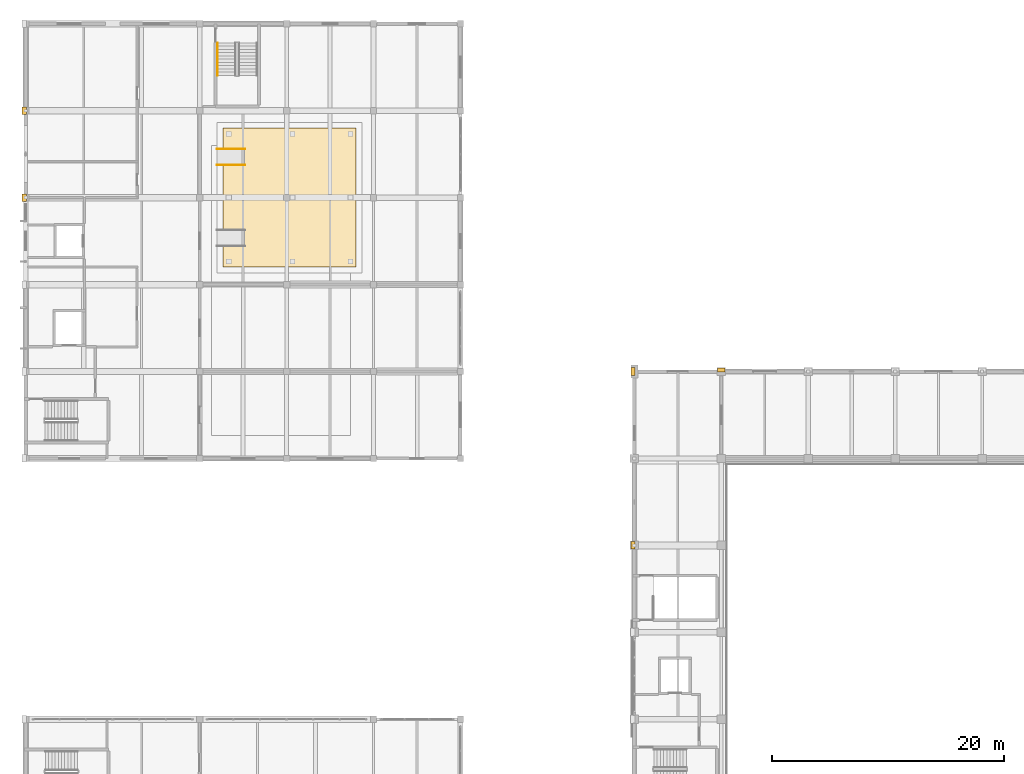
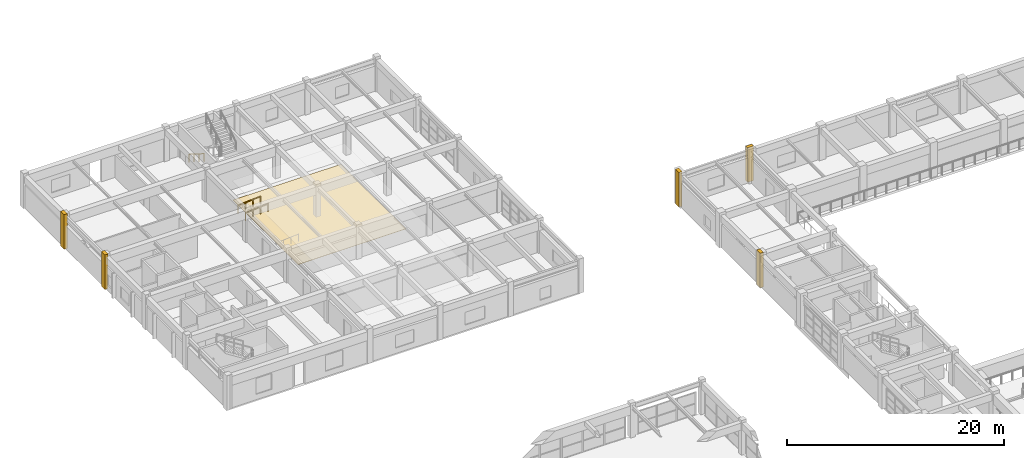
# One storey, part 98 of 101: 6 coverings, 3 railings.
"""IFC4 building model written with IfcOpenShell, lengths in metres."""

from ifc_helpers import new_model, si_unit, direction, frame, origin, origin_2d, place, context, subcontext, project, spatial, polyline, rectangle, circle, outline, extrude, material, layer, layer_set, type_object, element, save


model = new_model("IFC4")

# Units and contexts
model_context = context("Model", 3, precision=1e-05, world=origin(), true_north=direction((0.0, 1.0)))
body_context = subcontext(model_context, "Body", "Model", "MODEL_VIEW")
ifc_project = project(units=[si_unit("LENGTHUNIT", "METRE"), si_unit("AREAUNIT", "SQUARE_METRE"), si_unit("VOLUMEUNIT", "CUBIC_METRE"), si_unit("PLANEANGLEUNIT", "RADIAN"), si_unit("MASSUNIT", "GRAM", prefix="KILO")], contexts=[model_context])

# Site, building, storey
site_placement = place(None, origin())
site = spatial("IfcSite", under=ifc_project, at=site_placement, CompositionType="ELEMENT")
building_placement = place(site_placement, origin())
building = spatial("IfcBuilding", under=site, at=building_placement, Name="Qasida Concert Hall", CompositionType="ELEMENT")
storey_placement = place(building_placement, frame((0.0, 0.0, 13.199951171875)))
storey = spatial("IfcBuildingStorey", under=building, at=storey_placement, Name="L03", CompositionType="ELEMENT", Elevation=13.199951171875)

# Coverings
ifc_material_1 = material(Name="Quarter-sawn European oak stage and parterre flooring", Category="wood")
ifc_layer_1 = layer(ifc_material_1, 0.030029296875, Name="Quarter-sawn European oak stage and parterre flooring")
ifc_layer_set_1 = layer_set([ifc_layer_1], Name="Quarter-sawn European oak stage and parterre flooring")
covering_type_1 = type_object("IfcCoveringType", Name="CV-FL-1", PredefinedType="FLOORING", material=ifc_layer_set_1)
covering_1_placement = place(storey_placement, frame((0.0, 0.0, 0.179931640625)))
element("IfcCovering", 1, at=covering_1_placement, inside=storey, type_object=covering_type_1, Name="L03 acoustic timber flooring 07", PredefinedType="FLOORING", context=body_context, shape_type="SweptSolid", body=[
    extrude(outline(polyline([(17.0, 91.5), (28.5, 91.5), (28.5, 103.5), (17.0, 103.5), (17.0, 91.5)])), origin(), (0.0, 0.0, 1.0), 0.030029296875),
])
ifc_material_2 = material(Name="Projecting fluted Lebanese limestone Art Deco pilaster", Category="masonry")
ifc_layer_2 = layer(ifc_material_2, 0.35009765625, Name="Projecting fluted Lebanese limestone Art Deco pilaster")
ifc_layer_set_2 = layer_set([ifc_layer_2], Name="Projecting fluted Lebanese limestone Art Deco pilaster")
covering_type_2 = type_object("IfcCoveringType", Name="CV-PIL-650", PredefinedType="CLADDING", material=ifc_layer_set_2)
for number, where, z_axis, x_axis, name in (
    (2, (52.364990234375, 67.5, 0.0), (0.0, 0.0, 1.0), (1.0, 0.0, 0.0), "L03 fluted limestone pilaster 0074"),
    (3, (52.364990234375, 82.5, 0.0), (0.0, 0.0, 1.0), (1.0, 0.0, 0.0), "L03 fluted limestone pilaster 0088"),
):
    element("IfcCovering", number, at=place(storey_placement, frame(where, z_axis=z_axis, x_axis=x_axis)), inside=storey, type_object=covering_type_2, Name=name, PredefinedType="CLADDING", context=body_context, shape_type="SweptSolid", body=[
        extrude(rectangle(XDim=0.35009765625, YDim=0.64990234375, at=origin_2d()), origin(), (0.0, 0.0, 1.0), 3.89990234375),
    ])
covering_2_placement = place(storey_placement, frame((60.0, 82.635009765625, 0.0), z_axis=(0.0, 0.0, 1.0), x_axis=(1.0, 0.0, 0.0)))
element("IfcCovering", 4, at=covering_2_placement, inside=storey, type_object=covering_type_2, Name="L03 fluted limestone pilaster 0102", PredefinedType="CLADDING", context=body_context, shape_type="SweptSolid", body=[
    extrude(rectangle(XDim=0.64990234375, YDim=0.35009765625, at=origin_2d()), origin(), (0.0, 0.0, 1.0), 3.89990234375),
])
for number, where, z_axis, x_axis, name in (
    (5, (-0.135009765625, 97.5, 0.0), (0.0, 0.0, 1.0), (1.0, 0.0, 0.0), "L03 fluted limestone pilaster 0289"),
    (6, (-0.135009765625, 105.0, 0.0), (0.0, 0.0, 1.0), (1.0, 0.0, 0.0), "L03 fluted limestone pilaster 0296"),
):
    element("IfcCovering", number, at=place(storey_placement, frame(where, z_axis=z_axis, x_axis=x_axis)), inside=storey, type_object=covering_type_2, Name=name, PredefinedType="CLADDING", context=body_context, shape_type="SweptSolid", body=[
        extrude(rectangle(XDim=0.35009765625, YDim=0.64990234375, at=origin_2d()), origin(), (0.0, 0.0, 1.0), 3.89990234375),
    ])

# Railings
ifc_material_3 = material(Name="Patinated tubular architectural bronze", Category="steel")
ifc_layer_3 = layer(ifc_material_3, 0.050048828125, Name="Patinated tubular architectural bronze")
ifc_layer_set_3 = layer_set([ifc_layer_3], Name="Patinated tubular architectural bronze")
railing_type = type_object("IfcRailingType", Name="RL-HND-900", PredefinedType="HANDRAIL", material=ifc_layer_set_3)
railing_placement = place(storey_placement, frame((16.550048828125, 110.85009765625, 0.17724609375)))
element("IfcRailing", 7, at=railing_placement, inside=storey, type_object=railing_type, Name="L03 ST-06 stair handrail 1", PredefinedType="HANDRAIL", context=body_context, shape_type="SweptSolid", body=[
    extrude(circle(Radius=0.02392578125, at=origin_2d()), frame((0.0, 0.0, 0.8759765625), z_axis=(0.0, -0.844908973607, 0.534910110503), x_axis=(1.0, 0.0, 0.0)), (0.0, 0.0, 1.0), 3.31396484375),
    extrude(circle(Radius=0.02099609375, at=origin_2d()), origin(), (0.0, 0.0, 1.0), 0.851806640625),
    extrude(circle(Radius=0.02099609375, at=origin_2d()), frame((0.0, -0.933349609375, 0.5908203125)), (0.0, 0.0, 1.0), 0.851806640625),
    extrude(circle(Radius=0.02099609375, at=origin_2d()), frame((0.0, -1.86669921875, 1.181884765625)), (0.0, 0.0, 1.0), 0.851806640625),
    extrude(circle(Radius=0.02099609375, at=origin_2d()), frame((0.0, -2.800048828125, 1.772705078125)), (0.0, 0.0, 1.0), 0.851806640625),
])
for number, where, name in (
    (8, (16.5, 100.31005859375, 0.0), "Recording studio north accessible ramp handrail L"),
    (9, (16.5, 101.68994140625, 0.0), "Recording studio north accessible ramp handrail R"),
):
    element("IfcRailing", number, at=place(storey_placement, frame(where)), inside=storey, type_object=railing_type, Name=name, PredefinedType="HANDRAIL", context=body_context, shape_type="SweptSolid", body=[
        extrude(circle(Radius=0.02392578125, at=origin_2d()), frame((0.0, 0.0, 0.8759765625), z_axis=(0.997201201018, 0.0, 0.074764728906), x_axis=(0.0, 1.0, 0.0)), (0.0, 0.0, 1.0), 2.40673828125),
        extrude(circle(Radius=0.02099609375, at=origin_2d()), origin(), (0.0, 0.0, 1.0), 0.851806640625),
        extrude(circle(Radius=0.02099609375, at=origin_2d()), frame((0.800048828125, 0.0, 0.06005859375)), (0.0, 0.0, 1.0), 0.851806640625),
        extrude(circle(Radius=0.02099609375, at=origin_2d()), frame((1.599853515625, 0.0, 0.119873046875)), (0.0, 0.0, 1.0), 0.851806640625),
        extrude(circle(Radius=0.02099609375, at=origin_2d()), frame((2.39990234375, 0.0, 0.179931640625)), (0.0, 0.0, 1.0), 0.851806640625),
    ])

save(model, "model.ifc")
